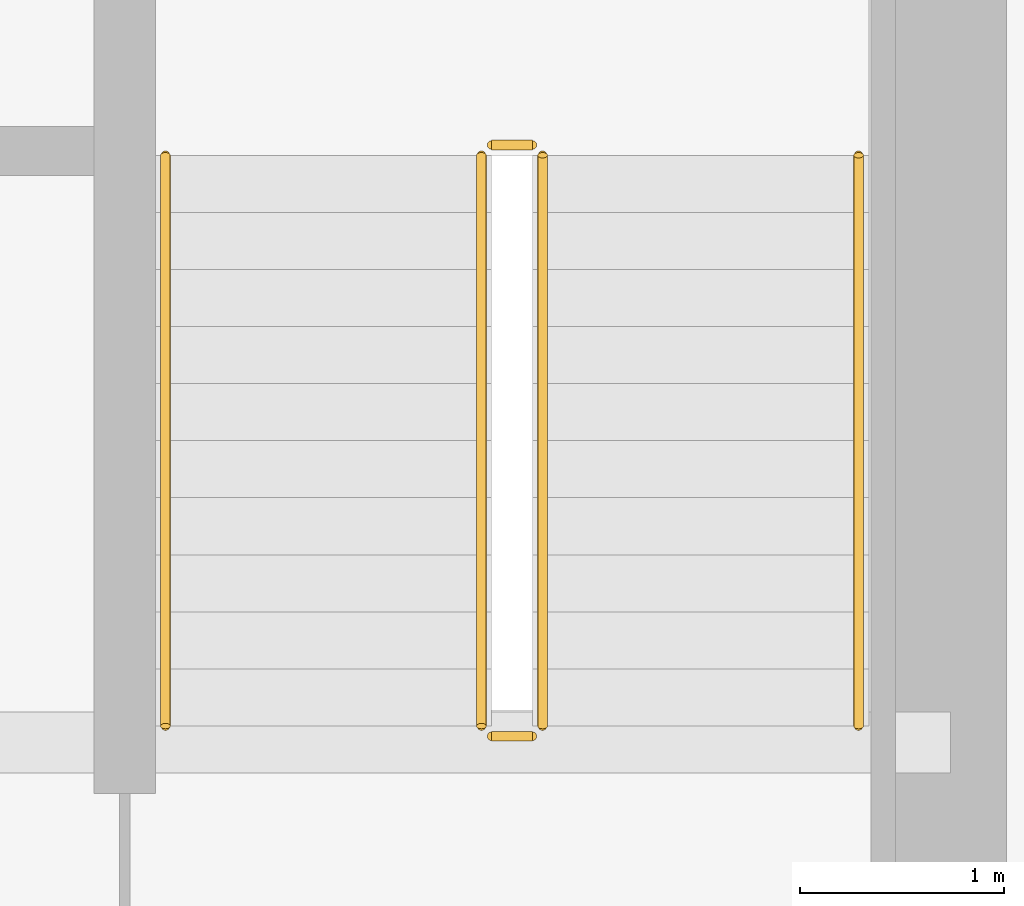
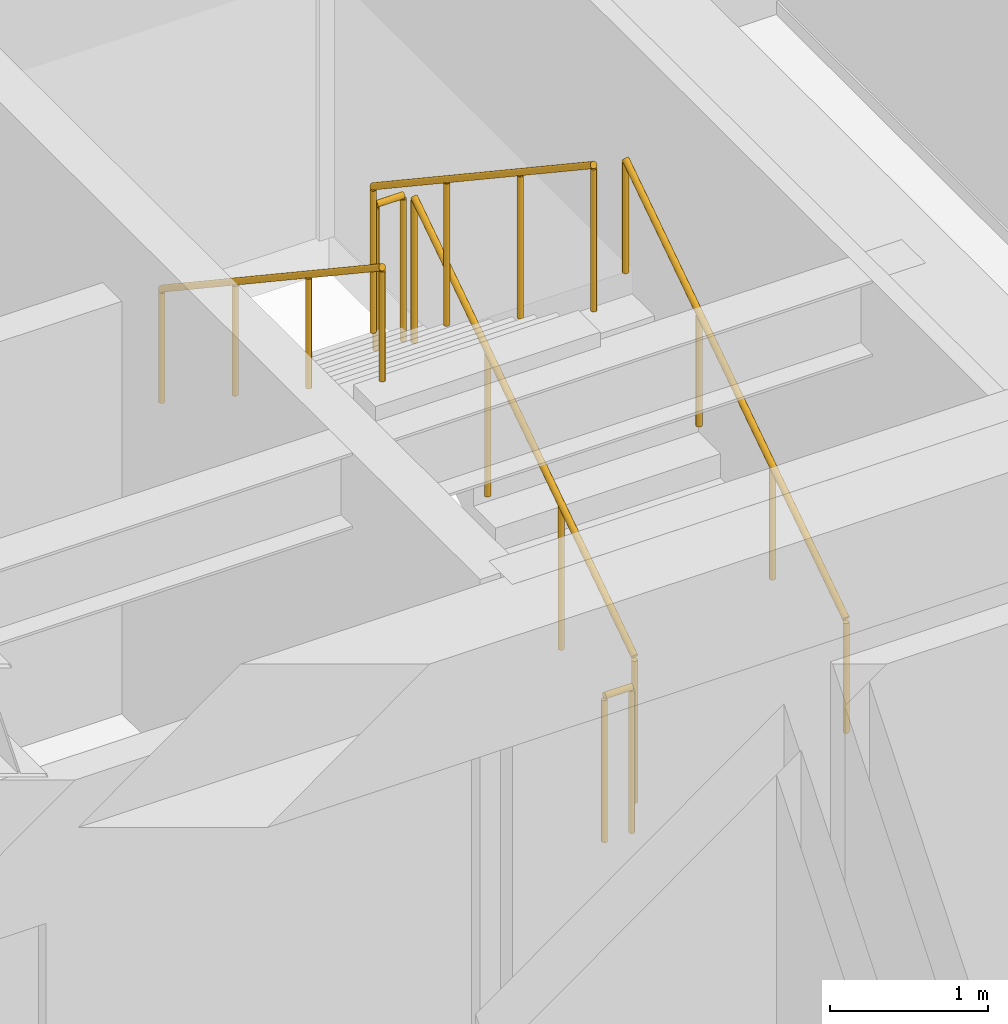
# One storey, part 33 of 33: 6 railings.
"""IFC4 building model written with IfcOpenShell, lengths in metres."""

from ifc_helpers import new_model, si_unit, direction, frame, origin, origin_2d, place, context, subcontext, project, spatial, circle, extrude, source, transform, mapped, material, type_object, type_shapes, element, save


model = new_model("IFC4")

# Units and contexts
model_context = context("Model", 3, precision=1e-05, world=origin(), true_north=direction((0.0, 1.0)))
body_context = subcontext(model_context, "Body", "Model", "MODEL_VIEW")
ifc_project = project(units=[si_unit("LENGTHUNIT", "METRE"), si_unit("AREAUNIT", "SQUARE_METRE"), si_unit("VOLUMEUNIT", "CUBIC_METRE"), si_unit("PLANEANGLEUNIT", "RADIAN"), si_unit("MASSUNIT", "GRAM", prefix="KILO")], contexts=[model_context])

# Site, building, storey
site_placement = place(None, origin())
site = spatial("IfcSite", under=ifc_project, at=site_placement, CompositionType="ELEMENT")
building_placement = place(site_placement, origin())
building = spatial("IfcBuilding", under=site, at=building_placement, Name="Haelvirn Gate Laboratories", CompositionType="ELEMENT")
storey_placement = place(building_placement, frame((0.0, 0.0, 275.199951171875)))
storey = spatial("IfcBuildingStorey", under=building, at=storey_placement, Name="L66", CompositionType="ELEMENT", Elevation=275.199951171875)

# Railings
ifc_material_1 = material(Name="Galvanised steel SM355 & stainless top rail", Category="steel")
railing_type_1 = type_object("IfcRailingType", Name="RL-GUARD-1150", PredefinedType="GUARDRAIL", material=ifc_material_1)
shared_shape_1 = source(origin(), body_context, "Body", "SweptSolid", [
    extrude(circle(Radius=0.02392578125, at=origin_2d()), frame((0.0, 0.0, 1.1259765625), z_axis=(0.0, 0.832485552168, 0.554046753832), x_axis=(-1.0, 0.0, 0.0)), (0.0, 0.0, 1.0), 3.363525390625),
    extrude(circle(Radius=0.02099609375, at=origin_2d()), origin(), (0.0, 0.0, 1.0), 1.101806640625),
    extrude(circle(Radius=0.02099609375, at=origin_2d()), frame((0.0, 0.933349609375, 0.62109375)), (0.0, 0.0, 1.0), 1.101806640625),
    extrude(circle(Radius=0.02099609375, at=origin_2d()), frame((0.0, 1.86669921875, 1.242431640625)), (0.0, 0.0, 1.0), 1.101806640625),
    extrude(circle(Radius=0.02099609375, at=origin_2d()), frame((0.0, 2.800048828125, 1.863525390625)), (0.0, 0.0, 1.0), 1.101806640625),
])
railing_1_placement = place(storey_placement, frame((65.39990234375, 26.699951171875, 0.1865234375)))
element("IfcRailing", 1, at=railing_1_placement, inside=storey, type_object=railing_type_1, Name="L66 ST2 stair guard 1", PredefinedType="GUARDRAIL", context=body_context, shape_type="MappedRepresentation", body=[
    mapped(shared_shape_1, transform((0.0, 0.0, 0.0), scale=1.0)),
])
shared_shape_2 = source(origin(), body_context, "Body", "SweptSolid", [
    extrude(circle(Radius=0.02392578125, at=origin_2d()), frame((0.0, 0.0, 1.1259765625), z_axis=(0.0, -0.832452072856, 0.554097055034), x_axis=(1.0, 0.0, 0.0)), (0.0, 0.0, 1.0), 3.363525390625),
    extrude(circle(Radius=0.02099609375, at=origin_2d()), origin(), (0.0, 0.0, 1.0), 1.101806640625),
    extrude(circle(Radius=0.02099609375, at=origin_2d()), frame((0.0, -0.933349609375, 0.621337890625)), (0.0, 0.0, 1.0), 1.101806640625),
    extrude(circle(Radius=0.02099609375, at=origin_2d()), frame((0.0, -1.86669921875, 1.242431640625)), (0.0, 0.0, 1.0), 1.101806640625),
    extrude(circle(Radius=0.02099609375, at=origin_2d()), frame((0.0, -2.800048828125, 1.86376953125)), (0.0, 0.0, 1.0), 1.101806640625),
])
railing_2_placement = place(storey_placement, frame((65.10009765625, 29.5, 2.236328125)))
element("IfcRailing", 2, at=railing_2_placement, inside=storey, type_object=railing_type_1, Name="L66 ST2 stair guard 3", PredefinedType="GUARDRAIL", context=body_context, shape_type="MappedRepresentation", body=[
    mapped(shared_shape_2, transform((0.0, 0.0, 0.0), scale=1.0)),
])
ifc_material_2 = material(Name="Brushed stainless steel 316L", Category="steel")
railing_type_2 = type_object("IfcRailingType", Name="RL-HAND-920", PredefinedType="HANDRAIL", material=ifc_material_2)
shared_shape_3 = source(origin(), body_context, "Body", "SweptSolid", [
    extrude(circle(Radius=0.02392578125, at=origin_2d()), frame((0.0, 0.0, 0.8759765625), z_axis=(0.0, 0.832485552168, 0.554046753832), x_axis=(-1.0, 0.0, 0.0)), (0.0, 0.0, 1.0), 3.363525390625),
    extrude(circle(Radius=0.02099609375, at=origin_2d()), origin(), (0.0, 0.0, 1.0), 0.851806640625),
    extrude(circle(Radius=0.02099609375, at=origin_2d()), frame((0.0, 0.933349609375, 0.62109375)), (0.0, 0.0, 1.0), 0.851806640625),
    extrude(circle(Radius=0.02099609375, at=origin_2d()), frame((0.0, 1.86669921875, 1.242431640625)), (0.0, 0.0, 1.0), 0.851806640625),
    extrude(circle(Radius=0.02099609375, at=origin_2d()), frame((0.0, 2.800048828125, 1.863525390625)), (0.0, 0.0, 1.0), 0.851806640625),
])
railing_3_placement = place(storey_placement, frame((66.949951171875, 26.699951171875, 0.1865234375)))
element("IfcRailing", 3, at=railing_3_placement, inside=storey, type_object=railing_type_2, Name="L66 ST2 stair handrail 1", PredefinedType="HANDRAIL", context=body_context, shape_type="MappedRepresentation", body=[
    mapped(shared_shape_3, transform((0.0, 0.0, 0.0), scale=1.0)),
])
shared_shape_4 = source(origin(), body_context, "Body", "SweptSolid", [
    extrude(circle(Radius=0.02392578125, at=origin_2d()), frame((0.0, 0.0, 0.8759765625), z_axis=(0.0, -0.832452072856, 0.554097055034), x_axis=(1.0, 0.0, 0.0)), (0.0, 0.0, 1.0), 3.363525390625),
    extrude(circle(Radius=0.02099609375, at=origin_2d()), origin(), (0.0, 0.0, 1.0), 0.851806640625),
    extrude(circle(Radius=0.02099609375, at=origin_2d()), frame((0.0, -0.933349609375, 0.621337890625)), (0.0, 0.0, 1.0), 0.851806640625),
    extrude(circle(Radius=0.02099609375, at=origin_2d()), frame((0.0, -1.86669921875, 1.242431640625)), (0.0, 0.0, 1.0), 0.851806640625),
    extrude(circle(Radius=0.02099609375, at=origin_2d()), frame((0.0, -2.800048828125, 1.86376953125)), (0.0, 0.0, 1.0), 0.851806640625),
])
type_shapes(railing_type_2, [shared_shape_3, shared_shape_4])
railing_4_placement = place(storey_placement, frame((63.550048828125, 29.5, 2.236328125)))
element("IfcRailing", 4, at=railing_4_placement, inside=storey, type_object=railing_type_2, Name="L66 ST2 stair handrail 2", PredefinedType="HANDRAIL", context=body_context, shape_type="MappedRepresentation", body=[
    mapped(shared_shape_4, transform((0.0, 0.0, 0.0), scale=1.0)),
])
shared_shape_5 = source(origin(), body_context, "Body", "SweptSolid", [
    extrude(circle(Radius=0.02392578125, at=origin_2d()), frame((0.0, 0.0, 1.1259765625), z_axis=(-1.0, 0.0, 0.0), x_axis=(0.0, -1.0, 0.0)), (0.0, 0.0, 1.0), 0.2001953125),
    extrude(circle(Radius=0.02099609375, at=origin_2d()), origin(), (0.0, 0.0, 1.0), 1.101806640625),
    extrude(circle(Radius=0.02099609375, at=origin_2d()), frame((-0.2001953125, 0.0, 0.0)), (0.0, 0.0, 1.0), 1.101806640625),
])
type_shapes(railing_type_1, [shared_shape_1, shared_shape_2, shared_shape_5])
for number, where, name in (
    (5, (65.35009765625, 29.550048828125, 2.050048828125), "L66 ST2 stair guard 2"),
    (6, (65.35009765625, 26.64990234375, 0.0), "L66 ST2 stair guard 4"),
):
    element("IfcRailing", number, at=place(storey_placement, frame(where)), inside=storey, type_object=railing_type_1, Name=name, PredefinedType="GUARDRAIL", context=body_context, shape_type="MappedRepresentation", body=[
        mapped(shared_shape_5, transform((0.0, 0.0, 0.0), scale=1.0)),
    ])

save(model, "model.ifc")
